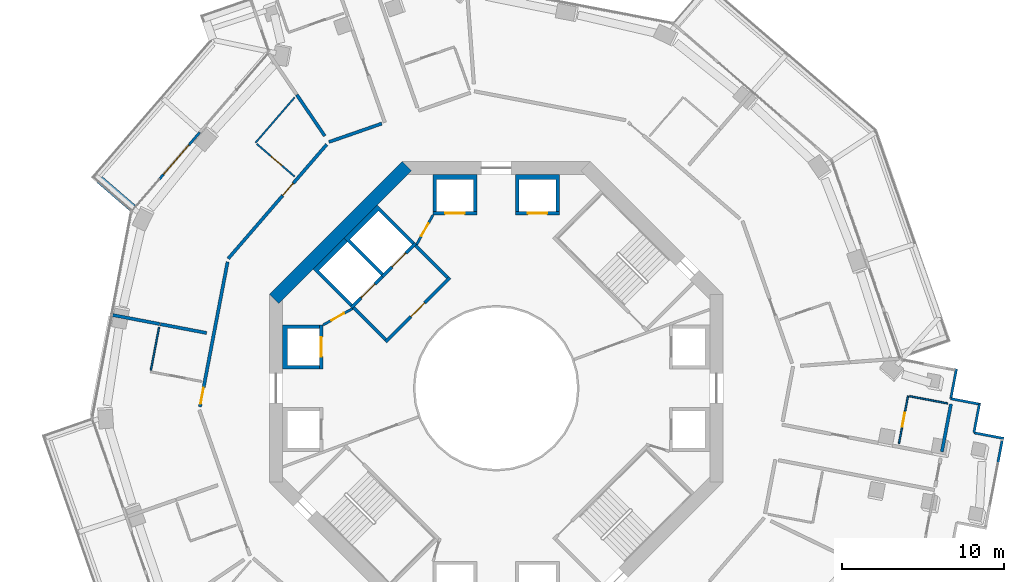
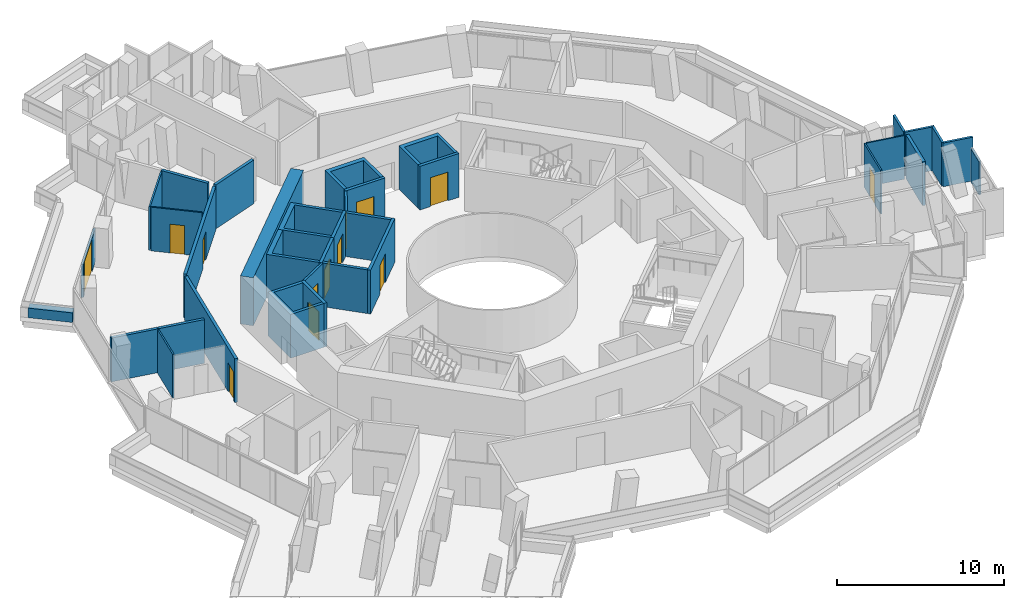
# One storey, part 18 of 23: 35 walls, 13 doors, 13 openings.
"""IFC4 building model written with IfcOpenShell, lengths in metres."""

from ifc_helpers import new_model, si_unit, direction, frame, frame_2d, origin, place, context, subcontext, project, spatial, polyline, rectangle, outline, extrude, material, layer, layer_set, type_object, element, fill, save


model = new_model("IFC4")

# Units and contexts
model_context = context("Model", 3, precision=1e-05, world=origin(), true_north=direction((0.0, 1.0)))
body_context = subcontext(model_context, "Body", "Model", "MODEL_VIEW")
ifc_project = project(units=[si_unit("LENGTHUNIT", "METRE"), si_unit("AREAUNIT", "SQUARE_METRE"), si_unit("VOLUMEUNIT", "CUBIC_METRE"), si_unit("PLANEANGLEUNIT", "RADIAN"), si_unit("MASSUNIT", "GRAM", prefix="KILO")], contexts=[model_context])

# Site, building, storey
site_placement = place(None, origin())
site = spatial("IfcSite", under=ifc_project, at=site_placement, CompositionType="ELEMENT")
building_placement = place(site_placement, origin())
building = spatial("IfcBuilding", under=site, at=building_placement, Name="Verdalira Terraces Hotel", CompositionType="ELEMENT")
storey_placement = place(building_placement, frame((0.0, 0.0, 111.5)))
storey = spatial("IfcBuildingStorey", under=building, at=storey_placement, Name="L26", CompositionType="ELEMENT", Elevation=111.5)

# Walls
ifc_material_1 = material(Name="Concrete C40", Category="concrete")
ifc_layer_1 = layer(ifc_material_1, 0.5)
ifc_layer_set_1 = layer_set([ifc_layer_1], Name="Balcony planter trough with tree")
wall_type_1 = type_object("IfcWallType", Name="Balcony planter trough with tree", PredefinedType="SOLIDWALL", material=ifc_layer_set_1)
wall_1_placement = place(storey_placement, frame((-24.491211, 12.883789, 0.0), z_axis=(0.0, 0.0, 1.0), x_axis=(0.757036532, -0.65337255, 0.0)))
element("IfcWall", 1, at=wall_1_placement, inside=storey, type_object=wall_type_1, Name="Balcony planter", PredefinedType="SOLIDWALL", context=body_context, shape_type="SweptSolid", body=[
    extrude(rectangle(XDim=2.698975, YDim=0.5, at=frame_2d((1.349609, 0.0))), origin(), (0.0, 0.0, 1.0), 0.699951),
])
ifc_material_2 = material(Name="Moisture-resistant gypsum board partition")
ifc_layer_2 = layer(ifc_material_2, 0.10009765625)
ifc_layer_set_2 = layer_set([ifc_layer_2], Name="Bathroom partition 100 mm")
wall_type_2 = type_object("IfcWallType", Name="Bathroom partition 100 mm", PredefinedType="PARTITIONING", material=ifc_layer_set_2)
wall_2_placement = place(storey_placement, frame((-21.326904, 1.115967, 0.0), z_axis=(0.0, 0.0, 1.0), x_axis=(0.187344774, 0.982294221, 0.0)))
element("IfcWall", 2, at=wall_2_placement, inside=storey, type_object=wall_type_2, Name="Bathroom partition", PredefinedType="PARTITIONING", context=body_context, shape_type="SweptSolid", body=[
    extrude(rectangle(XDim=2.700195, YDim=0.100098, at=frame_2d((1.350098, 0.0))), origin(), (0.0, 0.0, 1.0), 3.189941),
])
wall_3_placement = place(storey_placement, frame((-14.86792, 15.15625, 0.0), z_axis=(0.0, 0.0, 1.0), x_axis=(0.653436238, 0.756981561, 0.0)))
element("IfcWall", 3, at=wall_3_placement, inside=storey, type_object=wall_type_2, Name="Bathroom partition", PredefinedType="PARTITIONING", context=body_context, shape_type="SweptSolid", body=[
    extrude(rectangle(XDim=3.704102, YDim=0.100098, at=frame_2d((1.852051, 0.0))), origin(), (0.0, 0.0, 1.0), 3.189941),
])

# Wall, opening, door
wall_4_placement = place(storey_placement, frame((-14.791992, 15.091064, 0.0), z_axis=(0.0, 0.0, 1.0), x_axis=(0.75698944, -0.65342711, 0.0)))
wall_4 = element("IfcWall", 4, at=wall_4_placement, inside=storey, type_object=wall_type_2, Name="Bathroom partition", PredefinedType="PARTITIONING", context=body_context, shape_type="SweptSolid", body=[
    extrude(rectangle(XDim=3.100098, YDim=0.100098, at=frame_2d((1.550049, 0.0))), origin(), (0.0, 0.0, 1.0), 3.189941),
])
opening_1_placement = place(wall_4_placement, frame((1.149902, 0.0, 0.0)))
opening_1 = element("IfcOpeningElement", 5, at=opening_1_placement, cuts=wall_4, Name="Opening L26-107", PredefinedType="OPENING", context=body_context, shape_type="SweptSolid", body=[
    extrude(rectangle(XDim=0.899902, YDim=2.100098, at=frame_2d((0.449951, 1.050049))), frame((0.0, 0.060059, 0.0), z_axis=(0.0, -1.0, 0.0), x_axis=(1.0, 0.0, 0.0)), (0.0, 0.0, 1.0), 0.120117),
])
ifc_material_3 = material(Name="Timber door", Category="wood")
door_type_1 = type_object("IfcDoorType", Name="Bathroom door 900 x 2100", OperationType="NOTDEFINED", PredefinedType="DOOR", material=ifc_material_3)
door_1_placement = place(opening_1_placement, origin())
door_1 = element("IfcDoor", 6, at=door_1_placement, inside=storey, type_object=door_type_1, Name="Bathroom door 2603", OperationType="SINGLE_SWING_LEFT", OverallHeight=2.10009765625, OverallWidth=0.89990234375, PredefinedType="DOOR", context=body_context, shape_type="SweptSolid", body=[
    extrude(rectangle(XDim=0.899902, YDim=2.100098, at=frame_2d((0.449951, 1.050049))), frame((0.0, 0.024902, 0.0), z_axis=(0.0, -1.0, 0.0), x_axis=(1.0, 0.0, 0.0)), (0.0, 0.0, 1.0), 0.050049),
])
fill(opening_1, door_1)

wall_5_placement = place(storey_placement, frame((25.432861, -0.474121, 0.0), z_axis=(0.0, 0.0, 1.0), x_axis=(-0.187343964, -0.982294375, 0.0)))
wall_5 = element("IfcWall", 7, at=wall_5_placement, inside=storey, type_object=wall_type_2, Name="Bathroom partition", PredefinedType="PARTITIONING", context=body_context, shape_type="SweptSolid", body=[
    extrude(rectangle(XDim=3.0, YDim=0.100098, at=frame_2d((1.5, 0.0))), origin(), (0.0, 0.0, 1.0), 3.189941),
])
opening_2_placement = place(wall_5_placement, frame((1.050049, 0.0, 0.0)))
opening_2 = element("IfcOpeningElement", 8, at=opening_2_placement, cuts=wall_5, Name="Opening L26-126", PredefinedType="OPENING", context=body_context, shape_type="SweptSolid", body=[
    extrude(rectangle(XDim=0.899902, YDim=2.100098, at=frame_2d((0.449951, 1.050049))), frame((0.0, 0.060059, 0.0), z_axis=(0.0, -1.0, 0.0), x_axis=(1.0, 0.0, 0.0)), (0.0, 0.0, 1.0), 0.120117),
])
door_2_placement = place(opening_2_placement, origin())
door_2 = element("IfcDoor", 9, at=door_2_placement, inside=storey, type_object=door_type_1, Name="Bathroom door 2612", OperationType="SINGLE_SWING_LEFT", OverallHeight=2.10009765625, OverallWidth=0.89990234375, PredefinedType="DOOR", context=body_context, shape_type="SweptSolid", body=[
    extrude(rectangle(XDim=0.899902, YDim=2.100098, at=frame_2d((0.449951, 1.050049))), frame((0.0, 0.024902, 0.0), z_axis=(0.0, -1.0, 0.0), x_axis=(1.0, 0.0, 0.0)), (0.0, 0.0, 1.0), 0.050049),
])
fill(opening_2, door_2)

# Walls
wall_6_placement = place(storey_placement, frame((25.53125, -0.49292, 0.0), z_axis=(0.0, 0.0, 1.0), x_axis=(0.982305606, -0.187285068, 0.0)))
element("IfcWall", 10, at=wall_6_placement, inside=storey, type_object=wall_type_2, Name="Bathroom partition", PredefinedType="PARTITIONING", context=body_context, shape_type="SweptSolid", body=[
    extrude(rectangle(XDim=2.399902, YDim=0.100098, at=frame_2d((1.199951, 0.0))), origin(), (0.0, 0.0, 1.0), 3.189941),
])
ifc_material_4 = material(Name="Concrete C50", Category="concrete")
ifc_layer_3 = layer(ifc_material_4, 0.199951171875)
ifc_layer_set_3 = layer_set([ifc_layer_3], Name="Core RC wall 200 C50")
wall_type_3 = type_object("IfcWallType", Name="Core RC wall 200 C50", PredefinedType="SOLIDWALL", material=ifc_layer_set_3)
wall_7_placement = place(storey_placement, origin())
element("IfcWall", 11, at=wall_7_placement, inside=storey, type_object=wall_type_3, Name="L26 shaft wall N1", PredefinedType="SOLIDWALL", context=body_context, shape_type="SweptSolid", body=[
    extrude(outline(polyline([(3.899902, 13.199951), (3.899902, 10.899902), (3.699951, 10.899902), (3.699951, 12.899902), (1.399902, 12.899902), (1.399902, 10.899902), (1.199951, 10.899902), (1.199951, 13.199951), (3.899902, 13.199951)])), origin(), (0.0, 0.0, 1.0), 3.189941),
])

# Wall, opening, door
wall_8_placement = place(storey_placement, frame((1.199951, 10.800049, 0.0), z_axis=(0.0, 0.0, 1.0), x_axis=(1.0, 0.0, 0.0)))
wall_8 = element("IfcWall", 12, at=wall_8_placement, inside=storey, type_object=wall_type_3, Name="L26 shaft front wall N1", PredefinedType="SOLIDWALL", context=body_context, shape_type="SweptSolid", body=[
    extrude(rectangle(XDim=2.699951, YDim=0.199951, at=frame_2d((1.350098, 0.0))), origin(), (0.0, 0.0, 1.0), 3.189941),
])
opening_3_placement = place(wall_8_placement, frame((0.75, 0.0, 0.0)))
opening_3 = element("IfcOpeningElement", 13, at=opening_3_placement, cuts=wall_8, Name="Opening LD-L26-803", PredefinedType="OPENING", context=body_context, shape_type="SweptSolid", body=[
    extrude(rectangle(XDim=1.199951, YDim=2.100098, at=frame_2d((0.600098, 1.050049))), frame((0.0, 0.109863, 0.0), z_axis=(0.0, -1.0, 0.0), x_axis=(1.0, 0.0, 0.0)), (0.0, 0.0, 1.0), 0.219971),
])
ifc_material_5 = material(Name="Stainless steel", Category="steel")
door_type_2 = type_object("IfcDoorType", Name="Landing door 1200 x 2100", OperationType="NOTDEFINED", PredefinedType="DOOR", material=ifc_material_5)
door_3_placement = place(opening_3_placement, origin())
door_3 = element("IfcDoor", 14, at=door_3_placement, inside=storey, type_object=door_type_2, Name="Lift landing door LR3 L26", OperationType="DOUBLE_DOOR_SLIDING", OverallHeight=2.10009765625, OverallWidth=1.199951171875, PredefinedType="DOOR", context=body_context, shape_type="SweptSolid", body=[
    extrude(rectangle(XDim=1.199951, YDim=2.100098, at=frame_2d((0.600098, 1.050049))), frame((0.0, 0.024902, 0.0), z_axis=(0.0, -1.0, 0.0), x_axis=(1.0, 0.0, 0.0)), (0.0, 0.0, 1.0), 0.050049),
])
fill(opening_3, door_3)

# Wall
wall_9_placement = place(storey_placement, origin())
element("IfcWall", 15, at=wall_9_placement, inside=storey, type_object=wall_type_3, Name="L26 shaft wall N2", PredefinedType="SOLIDWALL", context=body_context, shape_type="SweptSolid", body=[
    extrude(outline(polyline([(-3.899902, 10.899902), (-3.899902, 13.199951), (-1.199951, 13.199951), (-1.199951, 10.899902), (-1.399902, 10.899902), (-1.399902, 12.899902), (-3.699951, 12.899902), (-3.699951, 10.899902), (-3.899902, 10.899902)])), origin(), (0.0, 0.0, 1.0), 3.189941),
])

# Wall, opening, door
wall_10_placement = place(storey_placement, frame((-1.199951, 10.800049, 0.0), z_axis=(0.0, 0.0, 1.0), x_axis=(-1.0, 0.0, 0.0)))
wall_10 = element("IfcWall", 16, at=wall_10_placement, inside=storey, type_object=wall_type_3, Name="L26 shaft front wall N2", PredefinedType="SOLIDWALL", context=body_context, shape_type="SweptSolid", body=[
    extrude(rectangle(XDim=2.699951, YDim=0.199951, at=frame_2d((1.350098, 0.0))), origin(), (0.0, 0.0, 1.0), 3.189941),
])
opening_4_placement = place(wall_10_placement, frame((0.75, 0.0, 0.0)))
opening_4 = element("IfcOpeningElement", 17, at=opening_4_placement, cuts=wall_10, Name="Opening LD-L26-804", PredefinedType="OPENING", context=body_context, shape_type="SweptSolid", body=[
    extrude(rectangle(XDim=1.199951, YDim=2.100098, at=frame_2d((0.600098, 1.050049))), frame((0.0, 0.109863, 0.0), z_axis=(0.0, -1.0, 0.0), x_axis=(1.0, 0.0, 0.0)), (0.0, 0.0, 1.0), 0.219971),
])
door_4_placement = place(opening_4_placement, origin())
door_4 = element("IfcDoor", 18, at=door_4_placement, inside=storey, type_object=door_type_2, Name="Lift landing door LR4 L26", OperationType="DOUBLE_DOOR_SLIDING", OverallHeight=2.10009765625, OverallWidth=1.199951171875, PredefinedType="DOOR", context=body_context, shape_type="SweptSolid", body=[
    extrude(rectangle(XDim=1.199951, YDim=2.100098, at=frame_2d((0.600098, 1.050049))), frame((0.0, 0.024902, 0.0), z_axis=(0.0, -1.0, 0.0), x_axis=(1.0, 0.0, 0.0)), (0.0, 0.0, 1.0), 0.050049),
])
fill(opening_4, door_4)

# Wall
wall_11_placement = place(storey_placement, origin())
element("IfcWall", 19, at=wall_11_placement, inside=storey, type_object=wall_type_3, Name="L26 shaft wall W1", PredefinedType="SOLIDWALL", context=body_context, shape_type="SweptSolid", body=[
    extrude(outline(polyline([(-13.199951, 3.899902), (-10.899902, 3.899902), (-10.899902, 3.699951), (-12.899902, 3.699951), (-12.899902, 1.399902), (-10.899902, 1.399902), (-10.899902, 1.199951), (-13.199951, 1.199951), (-13.199951, 3.899902)])), origin(), (0.0, 0.0, 1.0), 3.189941),
])

# Wall, opening, door
wall_12_placement = place(storey_placement, frame((-10.800049, 1.199951, 0.0), z_axis=(0.0, 0.0, 1.0), x_axis=(0.0, 1.0, 0.0)))
wall_12 = element("IfcWall", 20, at=wall_12_placement, inside=storey, type_object=wall_type_3, Name="L26 shaft front wall W1", PredefinedType="SOLIDWALL", context=body_context, shape_type="SweptSolid", body=[
    extrude(rectangle(XDim=2.699951, YDim=0.199951, at=frame_2d((1.350098, 0.0))), origin(), (0.0, 0.0, 1.0), 3.189941),
])
opening_5_placement = place(wall_12_placement, frame((0.75, 0.0, 0.0)))
opening_5 = element("IfcOpeningElement", 21, at=opening_5_placement, cuts=wall_12, Name="Opening LD-L26-805", PredefinedType="OPENING", context=body_context, shape_type="SweptSolid", body=[
    extrude(rectangle(XDim=1.199951, YDim=2.100098, at=frame_2d((0.600098, 1.050049))), frame((0.0, 0.109863, 0.0), z_axis=(0.0, -1.0, 0.0), x_axis=(1.0, 0.0, 0.0)), (0.0, 0.0, 1.0), 0.219971),
])
door_5_placement = place(opening_5_placement, origin())
door_5 = element("IfcDoor", 22, at=door_5_placement, inside=storey, type_object=door_type_2, Name="Lift landing door LR5 L26", OperationType="DOUBLE_DOOR_SLIDING", OverallHeight=2.10009765625, OverallWidth=1.199951171875, PredefinedType="DOOR", context=body_context, shape_type="SweptSolid", body=[
    extrude(rectangle(XDim=1.199951, YDim=2.100098, at=frame_2d((0.600098, 1.050049))), frame((0.0, 0.024902, 0.0), z_axis=(0.0, -1.0, 0.0), x_axis=(1.0, 0.0, 0.0)), (0.0, 0.0, 1.0), 0.050049),
])
fill(opening_5, door_5)

# Wall
wall_13_placement = place(storey_placement, origin())
element("IfcWall", 23, at=wall_13_placement, inside=storey, type_object=wall_type_3, Name="L26 shaft wall F1", PredefinedType="SOLIDWALL", context=body_context, shape_type="SweptSolid", body=[
    extrude(outline(polyline([(-9.404541, 9.263184), (-7.354004, 11.313721), (-5.055908, 9.015625), (-5.197266, 8.874268), (-7.283203, 10.960205), (-9.051025, 9.192383), (-6.965088, 7.106445), (-7.106445, 6.965088), (-9.404541, 9.263184)])), origin(), (0.0, 0.0, 1.0), 3.189941),
])

# Wall, opening, door
wall_14_placement = place(storey_placement, frame((-4.985107, 8.944824, 0.0), z_axis=(0.0, 0.0, 1.0), x_axis=(-0.707106781, -0.707106781, 0.0)))
wall_14 = element("IfcWall", 24, at=wall_14_placement, inside=storey, type_object=wall_type_3, Name="L26 shaft front wall F1", PredefinedType="SOLIDWALL", context=body_context, shape_type="SweptSolid", body=[
    extrude(rectangle(XDim=2.899902, YDim=0.199951, at=frame_2d((1.449951, 0.0))), origin(), (0.0, 0.0, 1.0), 3.189941),
])
opening_6_placement = place(wall_14_placement, frame((0.850098, 0.0, 0.0)))
opening_6 = element("IfcOpeningElement", 25, at=opening_6_placement, cuts=wall_14, Name="Opening LD-L26-807", PredefinedType="OPENING", context=body_context, shape_type="SweptSolid", body=[
    extrude(rectangle(XDim=1.199951, YDim=2.100098, at=frame_2d((0.600098, 1.050049))), frame((0.0, 0.109863, 0.0), z_axis=(0.0, -1.0, 0.0), x_axis=(1.0, 0.0, 0.0)), (0.0, 0.0, 1.0), 0.219971),
])
door_6_placement = place(opening_6_placement, origin())
door_6 = element("IfcDoor", 26, at=door_6_placement, inside=storey, type_object=door_type_2, Name="Lift landing door LF11 L26", OperationType="DOUBLE_DOOR_SLIDING", OverallHeight=2.10009765625, OverallWidth=1.199951171875, PredefinedType="DOOR", context=body_context, shape_type="SweptSolid", body=[
    extrude(rectangle(XDim=1.199951, YDim=2.100098, at=frame_2d((0.600098, 1.050049))), frame((0.0, 0.024902, 0.0), z_axis=(0.0, -1.0, 0.0), x_axis=(1.0, 0.0, 0.0)), (0.0, 0.0, 1.0), 0.050049),
])
fill(opening_6, door_6)

# Wall
wall_15_placement = place(storey_placement, origin())
element("IfcWall", 27, at=wall_15_placement, inside=storey, type_object=wall_type_3, Name="L26 shaft wall F2", PredefinedType="SOLIDWALL", context=body_context, shape_type="SweptSolid", body=[
    extrude(outline(polyline([(-11.313721, 7.354004), (-9.404541, 9.263184), (-9.192383, 9.051025), (-10.960205, 7.283203), (-8.874268, 5.197266), (-9.015625, 5.055908), (-11.313721, 7.354004)])), origin(), (0.0, 0.0, 1.0), 3.189941),
])

# Wall, opening, door
wall_16_placement = place(storey_placement, frame((-7.035645, 6.894287, 0.0), z_axis=(0.0, 0.0, 1.0), x_axis=(-0.707106781, -0.707106781, 0.0)))
wall_16 = element("IfcWall", 28, at=wall_16_placement, inside=storey, type_object=wall_type_3, Name="L26 shaft front wall F2", PredefinedType="SOLIDWALL", context=body_context, shape_type="SweptSolid", body=[
    extrude(rectangle(XDim=2.699951, YDim=0.199951, at=frame_2d((1.350098, 0.0))), origin(), (0.0, 0.0, 1.0), 3.189941),
])
opening_7_placement = place(wall_16_placement, frame((0.649902, 0.0, 0.0)))
opening_7 = element("IfcOpeningElement", 29, at=opening_7_placement, cuts=wall_16, Name="Opening LD-L26-808", PredefinedType="OPENING", context=body_context, shape_type="SweptSolid", body=[
    extrude(rectangle(XDim=1.199951, YDim=2.100098, at=frame_2d((0.600098, 1.050049))), frame((0.0, 0.109863, 0.0), z_axis=(0.0, -1.0, 0.0), x_axis=(1.0, 0.0, 0.0)), (0.0, 0.0, 1.0), 0.219971),
])
door_7_placement = place(opening_7_placement, origin())
door_7 = element("IfcDoor", 30, at=door_7_placement, inside=storey, type_object=door_type_2, Name="Lift landing door LF12 L26", OperationType="DOUBLE_DOOR_SLIDING", OverallHeight=2.10009765625, OverallWidth=1.199951171875, PredefinedType="DOOR", context=body_context, shape_type="SweptSolid", body=[
    extrude(rectangle(XDim=1.199951, YDim=2.100098, at=frame_2d((0.600098, 1.050049))), frame((0.0, 0.024902, 0.0), z_axis=(0.0, -1.0, 0.0), x_axis=(1.0, 0.0, 0.0)), (0.0, 0.0, 1.0), 0.050049),
])
fill(opening_7, door_7)

wall_17_placement = place(storey_placement, frame((-2.86377, 6.823486, 0.0), z_axis=(0.0, 0.0, 1.0), x_axis=(-0.707106781, -0.707106781, 0.0)))
wall_17 = element("IfcWall", 31, at=wall_17_placement, inside=storey, type_object=wall_type_3, Name="L26 fire lobby wall", PredefinedType="SOLIDWALL", context=body_context, shape_type="SweptSolid", body=[
    extrude(rectangle(XDim=5.599854, YDim=0.199951, at=frame_2d((2.799805, 0.0))), origin(), (0.0, 0.0, 1.0), 3.189941),
])
opening_8_placement = place(wall_17_placement, frame((2.199951, 0.0, 0.0)))
opening_8 = element("IfcOpeningElement", 32, at=opening_8_placement, cuts=wall_17, Name="Opening L26-819", PredefinedType="OPENING", context=body_context, shape_type="SweptSolid", body=[
    extrude(rectangle(XDim=1.199951, YDim=2.100098, at=frame_2d((0.600098, 1.050049))), frame((0.0, 0.109863, 0.0), z_axis=(0.0, -1.0, 0.0), x_axis=(1.0, 0.0, 0.0)), (0.0, 0.0, 1.0), 0.219971),
])
ifc_material_6 = material(Name="Steel fire door", Category="steel")
door_type_3 = type_object("IfcDoorType", Name="Lobby door 1200 x 2100", OperationType="NOTDEFINED", PredefinedType="DOOR", material=ifc_material_6)
door_8_placement = place(opening_8_placement, origin())
door_8 = element("IfcDoor", 33, at=door_8_placement, inside=storey, type_object=door_type_3, Name="Fire lobby door L26", OperationType="SINGLE_SWING_LEFT", OverallHeight=2.10009765625, OverallWidth=1.199951171875, PredefinedType="DOOR", context=body_context, shape_type="SweptSolid", body=[
    extrude(rectangle(XDim=1.199951, YDim=2.100098, at=frame_2d((0.600098, 1.050049))), frame((0.0, 0.024902, 0.0), z_axis=(0.0, -1.0, 0.0), x_axis=(1.0, 0.0, 0.0)), (0.0, 0.0, 1.0), 0.050049),
])
fill(opening_8, door_8)

# Walls
for number, where, z_axis, x_axis, name in (
    (34, (-3.005127, 6.823486, 0.0), (0.0, 0.0, 1.0), (-0.707106781, 0.707106781, 0.0), "L26 fire lobby wall"),
    (35, (-6.823486, 3.005127, 0.0), (0.0, 0.0, 1.0), (-0.707106781, 0.707106781, 0.0), "L26 fire lobby wall"),
):
    element("IfcWall", number, at=place(storey_placement, frame(where, z_axis=z_axis, x_axis=x_axis)), inside=storey, type_object=wall_type_3, Name=name, PredefinedType="SOLIDWALL", context=body_context, shape_type="SweptSolid", body=[
        extrude(rectangle(XDim=2.800049, YDim=0.199951, at=frame_2d((1.399902, 0.0))), origin(), (0.0, 0.0, 1.0), 3.189941),
    ])

# Wall, opening, door
ifc_material_7 = material(Name="Gypsum board partition")
ifc_layer_4 = layer(ifc_material_7, 0.14990234375)
ifc_layer_set_4 = layer_set([ifc_layer_4], Name="Core partition 150 mm")
wall_type_4 = type_object("IfcWallType", Name="Core partition 150 mm", PredefinedType="PARTITIONING", material=ifc_layer_set_4)
wall_18_placement = place(storey_placement, frame((-3.899902, 10.699951, 0.0), z_axis=(0.0, 0.0, 1.0), x_axis=(-0.485692555, -0.874129705, 0.0)))
wall_18 = element("IfcWall", 36, at=wall_18_placement, inside=storey, type_object=wall_type_4, Name="Room partition L26", PredefinedType="PARTITIONING", context=body_context, shape_type="SweptSolid", body=[
    extrude(rectangle(XDim=2.088623, YDim=0.149902, at=frame_2d((1.044434, 0.0))), origin(), (0.0, 0.0, 1.0), 3.189941),
])
opening_9_placement = place(wall_18_placement, frame((0.594238, 0.0, 0.0)))
opening_9 = element("IfcOpeningElement", 37, at=opening_9_placement, cuts=wall_18, Name="Opening L26-820", PredefinedType="OPENING", context=body_context, shape_type="SweptSolid", body=[
    extrude(rectangle(XDim=0.899902, YDim=2.100098, at=frame_2d((0.449951, 1.050049))), frame((0.0, 0.084961, 0.0), z_axis=(0.0, -1.0, 0.0), x_axis=(1.0, 0.0, 0.0)), (0.0, 0.0, 1.0), 0.169922),
])
ifc_material_8 = material(Name="Steel fire door", Category="steel")
door_type_4 = type_object("IfcDoorType", Name="Core room door 900 x 2100", OperationType="NOTDEFINED", PredefinedType="DOOR", material=ifc_material_8)
door_9_placement = place(opening_9_placement, origin())
door_9 = element("IfcDoor", 38, at=door_9_placement, inside=storey, type_object=door_type_4, Name="Door L26 room2", OperationType="SINGLE_SWING_LEFT", OverallHeight=2.10009765625, OverallWidth=0.89990234375, PredefinedType="DOOR", context=body_context, shape_type="SweptSolid", body=[
    extrude(rectangle(XDim=0.899902, YDim=2.100098, at=frame_2d((0.449951, 1.050049))), frame((0.0, 0.024902, 0.0), z_axis=(0.0, -1.0, 0.0), x_axis=(1.0, 0.0, 0.0)), (0.0, 0.0, 1.0), 0.050049),
])
fill(opening_9, door_9)

wall_19_placement = place(storey_placement, frame((-8.874268, 4.914307, 0.0), z_axis=(0.0, 0.0, 1.0), x_axis=(-0.874129705, -0.485692555, 0.0)))
wall_19 = element("IfcWall", 39, at=wall_19_placement, inside=storey, type_object=wall_type_4, Name="Room partition L26", PredefinedType="PARTITIONING", context=body_context, shape_type="SweptSolid", body=[
    extrude(rectangle(XDim=2.088623, YDim=0.149902, at=frame_2d((1.044434, 0.0))), origin(), (0.0, 0.0, 1.0), 3.189941),
])
opening_10_placement = place(wall_19_placement, frame((0.594238, 0.0, 0.0)))
opening_10 = element("IfcOpeningElement", 40, at=opening_10_placement, cuts=wall_19, Name="Opening L26-821", PredefinedType="OPENING", context=body_context, shape_type="SweptSolid", body=[
    extrude(rectangle(XDim=0.899902, YDim=2.100098, at=frame_2d((0.449951, 1.050049))), frame((0.0, 0.084961, 0.0), z_axis=(0.0, -1.0, 0.0), x_axis=(1.0, 0.0, 0.0)), (0.0, 0.0, 1.0), 0.169922),
])
door_10_placement = place(opening_10_placement, origin())
door_10 = element("IfcDoor", 41, at=door_10_placement, inside=storey, type_object=door_type_4, Name="Door L26 room3", OperationType="SINGLE_SWING_LEFT", OverallHeight=2.10009765625, OverallWidth=0.89990234375, PredefinedType="DOOR", context=body_context, shape_type="SweptSolid", body=[
    extrude(rectangle(XDim=0.899902, YDim=2.100098, at=frame_2d((0.449951, 1.050049))), frame((0.0, 0.024902, 0.0), z_axis=(0.0, -1.0, 0.0), x_axis=(1.0, 0.0, 0.0)), (0.0, 0.0, 1.0), 0.050049),
])
fill(opening_10, door_10)

# Walls
ifc_material_9 = material(Name="Concrete C70", Category="concrete")
ifc_layer_5 = layer(ifc_material_9, 0.800048828125)
ifc_layer_set_5 = layer_set([ifc_layer_5], Name="Core wall 800 C70")
wall_type_5 = type_object("IfcWallType", Name="Core wall 800 C70", PredefinedType="SHEAR", material=ifc_layer_set_5)
wall_20_placement = place(storey_placement, frame((-5.516113, 13.717285, 0.0), z_axis=(0.0, 0.0, 1.0), x_axis=(-0.707106781, -0.707106781, 0.0)))
element("IfcWall", 42, at=wall_20_placement, inside=storey, type_object=wall_type_5, Name="Core wall CW-L26-4", PredefinedType="SHEAR", context=body_context, shape_type="SweptSolid", body=[
    extrude(rectangle(XDim=11.598145, YDim=0.800049, at=frame_2d((5.799072, 0.0))), origin(), (0.0, 0.0, 1.0), 3.5),
])
ifc_material_10 = material(Name="Fire-rated gypsum board wall")
ifc_layer_6 = layer(ifc_material_10, 0.199951171875)
ifc_layer_set_6 = layer_set([ifc_layer_6], Name="Demising wall 200 mm")
wall_type_6 = type_object("IfcWallType", Name="Demising wall 200 mm", PredefinedType="SOLIDWALL", material=ifc_layer_set_6)
wall_21_placement = place(storey_placement, frame((-20.781494, 3.964355, 0.0), z_axis=(0.0, 0.0, 1.0), x_axis=(-0.982300182, 0.187313513, 0.0)))
element("IfcWall", 43, at=wall_21_placement, inside=storey, type_object=wall_type_6, Name="Demising wall", PredefinedType="SOLIDWALL", context=body_context, shape_type="SweptSolid", body=[
    extrude(rectangle(XDim=2.952148, YDim=0.199951, at=frame_2d((1.476074, 0.0))), origin(), (0.0, 0.0, 1.0), 3.189941),
])
wall_22_placement = place(storey_placement, frame((-17.883057, 3.411377, 0.0), z_axis=(0.0, 0.0, 1.0), x_axis=(-0.982278192, 0.187428798, 0.0)))
element("IfcWall", 44, at=wall_22_placement, inside=storey, type_object=wall_type_6, Name="Demising wall", PredefinedType="SOLIDWALL", context=body_context, shape_type="SweptSolid", body=[
    extrude(rectangle(XDim=2.904785, YDim=0.199951, at=frame_2d((1.452393, 0.0))), origin(), (0.0, 0.0, 1.0), 3.189941),
])
wall_23_placement = place(storey_placement, frame((-10.585205, 15.575684, 0.0), z_axis=(0.0, 0.0, 1.0), x_axis=(-0.562099331, 0.827069732, 0.0)))
element("IfcWall", 45, at=wall_23_placement, inside=storey, type_object=wall_type_6, Name="Demising wall", PredefinedType="SOLIDWALL", context=body_context, shape_type="SweptSolid", body=[
    extrude(rectangle(XDim=3.074707, YDim=0.199951, at=frame_2d((1.537354, 0.0))), origin(), (0.0, 0.0, 1.0), 3.189941),
])
wall_24_placement = place(storey_placement, frame((27.522705, -3.928711, 0.0), z_axis=(0.0, 0.0, 1.0), x_axis=(0.187339923, 0.982295146, 0.0)))
element("IfcWall", 46, at=wall_24_placement, inside=storey, type_object=wall_type_6, Name="Demising wall", PredefinedType="SOLIDWALL", context=body_context, shape_type="SweptSolid", body=[
    extrude(rectangle(XDim=3.003906, YDim=0.199951, at=frame_2d((1.501953, 0.0))), origin(), (0.0, 0.0, 1.0), 3.189941),
])

# Wall, opening, door
ifc_material_11 = material(Name="Fire-rated gypsum board wall")
ifc_layer_7 = layer(ifc_material_11, 0.199951171875)
ifc_layer_set_7 = layer_set([ifc_layer_7], Name="Guest corridor wall 200 mm")
wall_type_7 = type_object("IfcWallType", Name="Guest corridor wall 200 mm", PredefinedType="SOLIDWALL", material=ifc_layer_set_7)
wall_25_placement = place(storey_placement, frame((-18.297852, -1.149414, 0.0), z_axis=(0.0, 0.0, 1.0), x_axis=(0.187398857, 0.982283904, 0.0)))
wall_25 = element("IfcWall", 47, at=wall_25_placement, inside=storey, type_object=wall_type_7, Name="Guest corridor wall", PredefinedType="SOLIDWALL", context=body_context, shape_type="SweptSolid", body=[
    extrude(rectangle(XDim=9.115479, YDim=0.199951, at=frame_2d((4.557617, 0.0))), origin(), (0.0, 0.0, 1.0), 3.189941),
])
opening_11_placement = place(wall_25_placement, frame((0.199951, 0.0, 0.0)))
opening_11 = element("IfcOpeningElement", 48, at=opening_11_placement, cuts=wall_25, Name="Opening L26-108", PredefinedType="OPENING", context=body_context, shape_type="SweptSolid", body=[
    extrude(rectangle(XDim=1.0, YDim=2.100098, at=frame_2d((0.5, 1.050049))), frame((0.0, 0.109863, 0.0), z_axis=(0.0, -1.0, 0.0), x_axis=(1.0, 0.0, 0.0)), (0.0, 0.0, 1.0), 0.219971),
])
ifc_material_12 = material(Name="Timber fire door", Category="wood")
door_type_5 = type_object("IfcDoorType", Name="Guest entry door 1000 x 2100", OperationType="NOTDEFINED", PredefinedType="DOOR", material=ifc_material_12)
door_11_placement = place(opening_11_placement, origin())
door_11 = element("IfcDoor", 49, at=door_11_placement, inside=storey, type_object=door_type_5, Name="Guest entry door 2604", OperationType="SINGLE_SWING_LEFT", OverallHeight=2.10009765625, OverallWidth=1.0, PredefinedType="DOOR", context=body_context, shape_type="SweptSolid", body=[
    extrude(rectangle(XDim=1.0, YDim=2.100098, at=frame_2d((0.5, 1.050049))), frame((0.0, 0.024902, 0.0), z_axis=(0.0, -1.0, 0.0), x_axis=(1.0, 0.0, 0.0)), (0.0, 0.0, 1.0), 0.050049),
])
fill(opening_11, door_11)

wall_26_placement = place(storey_placement, frame((-16.551758, 8.001953, 0.0), z_axis=(0.0, 0.0, 1.0), x_axis=(0.653409696, 0.757004471, 0.0)))
wall_26 = element("IfcWall", 50, at=wall_26_placement, inside=storey, type_object=wall_type_7, Name="Guest corridor wall", PredefinedType="SOLIDWALL", context=body_context, shape_type="SweptSolid", body=[
    extrude(rectangle(XDim=9.315918, YDim=0.199951, at=frame_2d((4.657959, 0.0))), origin(), (0.0, 0.0, 1.0), 3.189941),
])
opening_12_placement = place(wall_26_placement, frame((5.149902, 0.0, 0.0)))
opening_12 = element("IfcOpeningElement", 51, at=opening_12_placement, cuts=wall_26, Name="Opening L26-106", PredefinedType="OPENING", context=body_context, shape_type="SweptSolid", body=[
    extrude(rectangle(XDim=1.0, YDim=2.100098, at=frame_2d((0.5, 1.050049))), frame((0.0, 0.109863, 0.0), z_axis=(0.0, -1.0, 0.0), x_axis=(1.0, 0.0, 0.0)), (0.0, 0.0, 1.0), 0.219971),
])
door_12_placement = place(opening_12_placement, origin())
door_12 = element("IfcDoor", 52, at=door_12_placement, inside=storey, type_object=door_type_5, Name="Guest entry door 2603", OperationType="SINGLE_SWING_LEFT", OverallHeight=2.10009765625, OverallWidth=1.0, PredefinedType="DOOR", context=body_context, shape_type="SweptSolid", body=[
    extrude(rectangle(XDim=1.0, YDim=2.100098, at=frame_2d((0.5, 1.050049))), frame((0.0, 0.024902, 0.0), z_axis=(0.0, -1.0, 0.0), x_axis=(1.0, 0.0, 0.0)), (0.0, 0.0, 1.0), 0.050049),
])
fill(opening_12, door_12)

# Walls
wall_27_placement = place(storey_placement, frame((-7.067871, 16.343018, 0.0), z_axis=(0.0, 0.0, 1.0), x_axis=(-0.944384357, -0.328843712, 0.0)))
element("IfcWall", 53, at=wall_27_placement, inside=storey, type_object=wall_type_7, Name="Guest corridor wall", PredefinedType="SOLIDWALL", context=body_context, shape_type="SweptSolid", body=[
    extrude(rectangle(XDim=3.458252, YDim=0.199951, at=frame_2d((1.729004, 0.0))), origin(), (0.0, 0.0, 1.0), 3.189941),
])
ifc_material_13 = material(Name="Terracotta cladding", Category="masonry")
ifc_layer_8 = layer(ifc_material_13, 0.14990234375)
ifc_layer_set_8 = layer_set([ifc_layer_8], Name="Terracotta clad wall 150")
wall_type_8 = type_object("IfcWallType", Name="Terracotta clad wall 150", PredefinedType="SOLIDWALL", material=ifc_layer_set_8)
wall_28_placement = place(storey_placement, frame((31.344971, -3.103516, 0.0), z_axis=(0.0, 0.0, 1.0), x_axis=(-0.982289527, 0.187369383, 0.0)))
element("IfcWall", 54, at=wall_28_placement, inside=storey, type_object=wall_type_8, Name="Terracotta cladding wall", PredefinedType="SOLIDWALL", context=body_context, shape_type="SweptSolid", body=[
    extrude(rectangle(XDim=1.875, YDim=0.149902, at=frame_2d((0.9375, 0.0))), origin(), (0.0, 0.0, 1.0), 3.189941),
])
wall_29_placement = place(storey_placement, frame((29.503174, -2.752197, 0.0), z_axis=(0.0, 0.0, 1.0), x_axis=(0.187423693, 0.982279166, 0.0)))
element("IfcWall", 55, at=wall_29_placement, inside=storey, type_object=wall_type_8, Name="Terracotta cladding wall", PredefinedType="SOLIDWALL", context=body_context, shape_type="SweptSolid", body=[
    extrude(rectangle(XDim=1.800293, YDim=0.149902, at=frame_2d((0.900146, 0.0))), origin(), (0.0, 0.0, 1.0), 3.189941),
])
for number, where, z_axis, x_axis, name in (
    (56, (29.914062, -0.998047, 0.0), (0.0, 0.0, 1.0), (-0.982289527, 0.187369383, 0.0), "Terracotta cladding wall"),
    (57, (28.072266, -0.646729, 0.0), (0.0, 0.0, 1.0), (0.187369383, 0.982289527, 0.0), "Terracotta cladding wall"),
):
    element("IfcWall", number, at=place(storey_placement, frame(where, z_axis=z_axis, x_axis=x_axis)), inside=storey, type_object=wall_type_8, Name=name, PredefinedType="SOLIDWALL", context=body_context, shape_type="SweptSolid", body=[
        extrude(rectangle(XDim=1.875, YDim=0.149902, at=frame_2d((0.9375, 0.0))), origin(), (0.0, 0.0, 1.0), 3.189941),
    ])
ifc_material_14 = material(Name="Terracotta cladding", Category="masonry")
ifc_layer_9 = layer(ifc_material_14, 0.14990234375)
ifc_layer_set_9 = layer_set([ifc_layer_9], Name="Terracotta column pier 150")
wall_type_9 = type_object("IfcWallType", Name="Terracotta column pier 150", PredefinedType="SOLIDWALL", material=ifc_layer_set_9)
wall_30_placement = place(storey_placement, frame((30.976074, -4.636475, 0.0), z_axis=(0.0, 0.0, 1.0), x_axis=(0.187412332, 0.982281333, 0.0)))
element("IfcWall", 58, at=wall_30_placement, inside=storey, type_object=wall_type_9, Name="Terracotta column pier", PredefinedType="SOLIDWALL", context=body_context, shape_type="SweptSolid", body=[
    extrude(rectangle(XDim=1.419922, YDim=0.149902, at=frame_2d((0.709961, 0.0))), origin(), (0.0, 0.0, 1.0), 2.425049),
])

# Wall, opening, door
ifc_material_15 = material(Name="Terracotta cladding", Category="masonry")
ifc_layer_10 = layer(ifc_material_15, 0.14990234375)
ifc_layer_set_10 = layer_set([ifc_layer_10], Name="Terracotta door pier 150")
wall_type_10 = type_object("IfcWallType", Name="Terracotta door pier 150", PredefinedType="SOLIDWALL", material=ifc_layer_set_10)
wall_31_placement = place(storey_placement, frame((-18.306641, 15.802002, 0.0), z_axis=(0.0, 0.0, 1.0), x_axis=(-0.653392801, -0.757019054, 0.0)))
wall_31 = element("IfcWall", 59, at=wall_31_placement, inside=storey, type_object=wall_type_10, Name="Terracotta door pier", PredefinedType="SOLIDWALL", context=body_context, shape_type="SweptSolid", body=[
    extrude(rectangle(XDim=3.835449, YDim=0.149902, at=frame_2d((1.917725, 0.0))), origin(), (0.0, 0.0, 1.0), 2.425049),
])
opening_13_placement = place(wall_31_placement, frame((1.0354, 0.0, 0.0)))
opening_13 = element("IfcOpeningElement", 60, at=opening_13_placement, cuts=wall_31, Name="Opening L26-B03", PredefinedType="OPENING", context=body_context, shape_type="SweptSolid", body=[
    extrude(rectangle(XDim=2.399902, YDim=2.399902, at=frame_2d((1.199951, 1.199951))), frame((0.0, 0.084961, 0.0), z_axis=(0.0, -1.0, 0.0), x_axis=(1.0, 0.0, 0.0)), (0.0, 0.0, 1.0), 0.169922),
])
ifc_material_16 = material(Name="Clear glass", Category="glass")
door_type_6 = type_object("IfcDoorType", Name="Balcony sliding door 2400x2400", OperationType="NOTDEFINED", PredefinedType="DOOR", material=ifc_material_16)
door_13_placement = place(opening_13_placement, origin())
door_13 = element("IfcDoor", 61, at=door_13_placement, inside=storey, type_object=door_type_6, Name="Balcony sliding door", OperationType="SLIDING_TO_LEFT", OverallHeight=2.39990234375, OverallWidth=2.39990234375, PredefinedType="DOOR", context=body_context, shape_type="SweptSolid", body=[
    extrude(rectangle(XDim=2.399902, YDim=2.399902, at=frame_2d((1.199951, 1.199951))), frame((0.0, 0.024902, 0.0), z_axis=(0.0, -1.0, 0.0), x_axis=(1.0, 0.0, 0.0)), (0.0, 0.0, 1.0), 0.050049),
])
fill(opening_13, door_13)

save(model, "model.ifc")
